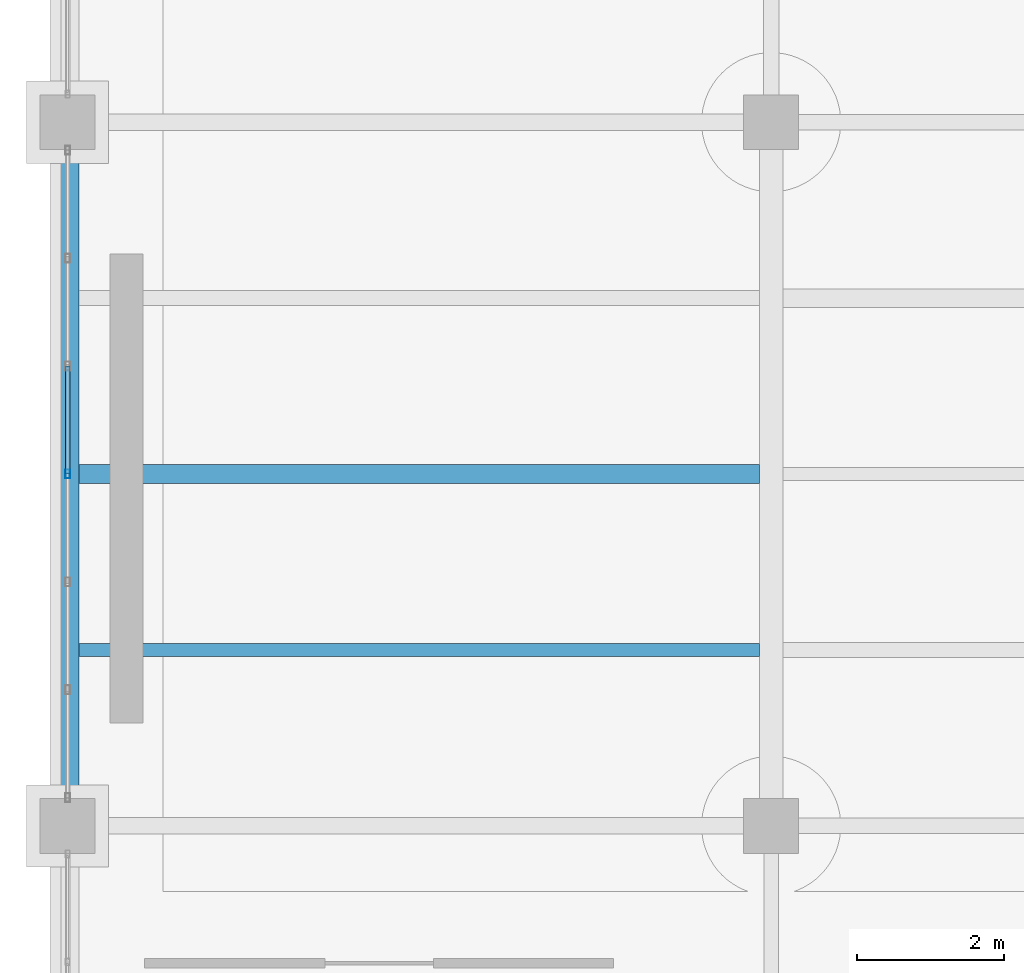
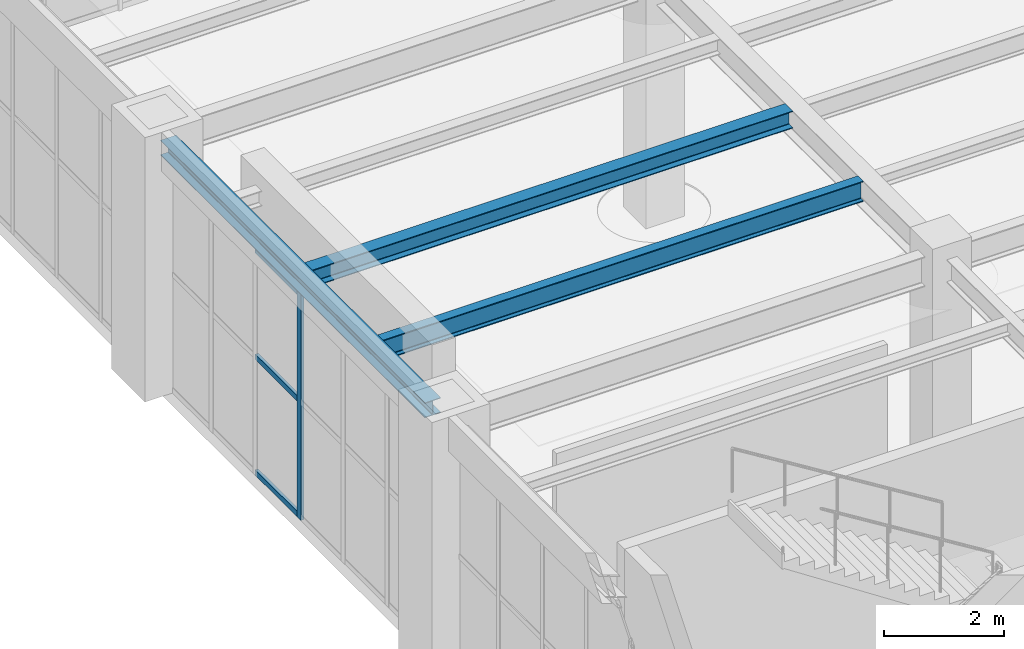
# One storey, part 27 of 164: 4 members, 3 beams, 1 element without a shape of its own.
"""IFC4 building model written with IfcOpenShell, lengths in metres."""

from ifc_helpers import new_model, si_unit, direction, frame, origin, origin_2d, place, context, subcontext, project, spatial, hollow_rectangle, i_section, extrude, material, material_profile, profile_set, type_object, element, aggregate, save


model = new_model("IFC4")

# Units and contexts
model_context = context("Model", 3, precision=1e-05, world=origin(), true_north=direction((0.0, 1.0)))
body_context = subcontext(model_context, "Body", "Model", "MODEL_VIEW")
ifc_project = project(units=[si_unit("LENGTHUNIT", "METRE"), si_unit("AREAUNIT", "SQUARE_METRE"), si_unit("VOLUMEUNIT", "CUBIC_METRE"), si_unit("PLANEANGLEUNIT", "RADIAN"), si_unit("MASSUNIT", "GRAM", prefix="KILO")], contexts=[model_context])

# Site, building, storey
site_placement = place(None, origin())
site = spatial("IfcSite", under=ifc_project, at=site_placement, CompositionType="ELEMENT")
building_placement = place(site_placement, origin())
building = spatial("IfcBuilding", under=site, at=building_placement, Name="Mavantir Sound Aquarium", CompositionType="ELEMENT")
storey_placement = place(building_placement, origin())
storey = spatial("IfcBuildingStorey", under=building, at=storey_placement, Name="L00", CompositionType="ELEMENT", Elevation=0.0)

# Beams
ifc_material_1 = material(Name="Structural Steel ASTM A992 Gr50", Category="steel")
ifc_material_profile_1 = material_profile(ifc_material_1, i_section(OverallWidth=0.304931640625, OverallDepth=0.30810546875, WebThickness=0.010009765625, FlangeThickness=0.015380859375, FilletRadius=0.014892578125, at=origin_2d()), Name="W310X97")
ifc_profile_set_1 = profile_set([ifc_material_profile_1], Name="Structural Steel ASTM A992 Gr50")
beam_type_1 = type_object("IfcBeamType", Name="BM-W310X97-E", PredefinedType="SPANDREL", material=ifc_profile_set_1)
beam_1_placement = place(storey_placement, frame((0.0, 9.97509765625, 4.94189453125), z_axis=(0.0, 1.0, 0.0), x_axis=(-1.0, 0.0, 0.0)))
element("IfcBeam", 1, at=beam_1_placement, inside=storey, type_object=beam_type_1, Name="L00 primary girder SS-31A 907", PredefinedType="SPANDREL", context=body_context, shape_type="SweptSolid", body=[
    extrude(i_section(OverallWidth=0.304931640625, OverallDepth=0.30810546875, WebThickness=0.010009765625, FlangeThickness=0.015380859375, FilletRadius=0.014892578125, at=origin_2d()), origin(), (0.0, 0.0, 1.0), 8.849853515625),
])
ifc_material_profile_2 = material_profile(ifc_material_1, i_section(OverallWidth=0.25390625, OverallDepth=0.35302734375, WebThickness=0.009521484375, FlangeThickness=0.016357421875, FilletRadius=0.014892578125, at=origin_2d()), Name="W360X91")
ifc_profile_set_2 = profile_set([ifc_material_profile_2], Name="Structural Steel ASTM A992 Gr50")
beam_type_2 = type_object("IfcBeamType", Name="BM-W360X91-I", PredefinedType="JOIST", material=ifc_profile_set_2)
beam_2_placement = place(storey_placement, frame((0.152587890625, 14.39990234375, 4.91943359375), z_axis=(1.0, 0.0, 0.0), x_axis=(0.0, 1.0, 0.0)))
element("IfcBeam", 2, at=beam_2_placement, inside=storey, type_object=beam_type_2, Name="L00 secondary floor joist SJ-36 490", PredefinedType="JOIST", context=body_context, shape_type="SweptSolid", body=[
    extrude(i_section(OverallWidth=0.25390625, OverallDepth=0.35302734375, WebThickness=0.009521484375, FlangeThickness=0.016357421875, FilletRadius=0.014892578125, at=origin_2d()), origin(), (0.0, 0.0, 1.0), 9.285400390625),
])
ifc_material_profile_3 = material_profile(ifc_material_1, i_section(OverallWidth=0.180908203125, OverallDepth=0.4169921875, WebThickness=0.010986328125, FlangeThickness=0.018310546875, FilletRadius=0.014892578125, at=origin_2d()), Name="W410X85")
ifc_profile_set_3 = profile_set([ifc_material_profile_3], Name="Structural Steel ASTM A992 Gr50")
beam_type_3 = type_object("IfcBeamType", Name="BM-W410X85-I", PredefinedType="JOIST", material=ifc_profile_set_3)
beam_3_placement = place(storey_placement, frame((0.152587890625, 12.0, 4.887451171875), z_axis=(1.0, 0.0, 0.0), x_axis=(0.0, 1.0, 0.0)))
element("IfcBeam", 3, at=beam_3_placement, inside=storey, type_object=beam_type_3, Name="L00 secondary floor joist SJ-41 489", PredefinedType="JOIST", context=body_context, shape_type="SweptSolid", body=[
    extrude(i_section(OverallWidth=0.180908203125, OverallDepth=0.4169921875, WebThickness=0.010986328125, FlangeThickness=0.018310546875, FilletRadius=0.014892578125, at=origin_2d()), origin(), (0.0, 0.0, 1.0), 9.285400390625),
])

# Curtain wall, members
ifc_material_2 = material(Name="Anodised Marine Aluminium and Low-E Glass", Category="aluminium")
curtain_wall_type = type_object("IfcCurtainWallType", Name="CW-T12", PredefinedType="USERDEFINED", material=ifc_material_2)
curtain_wall_placement = place(storey_placement, origin())
curtain_wall = element("IfcCurtainWall", 4, at=curtain_wall_placement, inside=storey, type_object=curtain_wall_type, Name="L00 unitised curtain wall CW-12 12", ObjectType="UNITISED GLAZING", PredefinedType="USERDEFINED")
ifc_material_3 = material(Name="Anodised Marine Aluminium 6063-T6", Category="aluminium")
ifc_material_profile_4 = material_profile(ifc_material_3, hollow_rectangle(XDim=0.06494140625, YDim=0.1201171875, WallThickness=0.00390625, at=origin_2d()), Name="ALU-MULLION-120X65")
ifc_profile_set_4 = profile_set([ifc_material_profile_4], Name="Anodised Marine Aluminium 6063-T6")
member_type_1 = type_object("IfcMemberType", Name="CW-MUL-120", PredefinedType="MULLION", material=ifc_profile_set_4)
member_1_placement = place(storey_placement, frame((0.0, 14.39990234375, 0.0), z_axis=(0.0, 0.0, 1.0), x_axis=(1.0, 0.0, 0.0)))
member_1 = element("IfcMember", 5, at=member_1_placement, type_object=member_type_1, Name="CW-L00-012 vertical mullion 4", PredefinedType="MULLION", context=body_context, shape_type="SweptSolid", body=[
    extrude(hollow_rectangle(XDim=0.06494140625, YDim=0.1201171875, WallThickness=0.00390625, at=origin_2d()), origin(), (0.0, 0.0, 1.0), 4.64892578125),
])
ifc_material_profile_5 = material_profile(ifc_material_3, hollow_rectangle(XDim=0.06005859375, YDim=0.110107421875, WallThickness=0.00390625, at=origin_2d()), Name="ALU-TRANSOM-110X60")
ifc_profile_set_5 = profile_set([ifc_material_profile_5], Name="Anodised Marine Aluminium 6063-T6")
member_type_2 = type_object("IfcMemberType", Name="CW-TRN-110", PredefinedType="USERDEFINED", material=ifc_profile_set_5)
member_2_placement = place(storey_placement, frame((0.0, 15.872314453125, 0.054931640625), z_axis=(0.0, -1.0, 0.0), x_axis=(1.0, 0.0, 0.0)))
member_2 = element("IfcMember", 6, at=member_2_placement, type_object=member_type_2, Name="CW-L00-012 transom 3.1", ObjectType="TRANSOM", PredefinedType="USERDEFINED", context=body_context, shape_type="SweptSolid", body=[
    extrude(hollow_rectangle(XDim=0.06005859375, YDim=0.110107421875, WallThickness=0.00390625, at=origin_2d()), origin(), (0.0, 0.0, 1.0), 1.472412109375),
])
member_3_placement = place(storey_placement, frame((0.0, 15.872314453125, 2.41748046875), z_axis=(0.0, -1.0, 0.0), x_axis=(1.0, 0.0, 0.0)))
member_3 = element("IfcMember", 7, at=member_3_placement, type_object=member_type_2, Name="CW-L00-012 transom 3.2", ObjectType="TRANSOM", PredefinedType="USERDEFINED", context=body_context, shape_type="SweptSolid", body=[
    extrude(hollow_rectangle(XDim=0.06005859375, YDim=0.110107421875, WallThickness=0.00390625, at=origin_2d()), origin(), (0.0, 0.0, 1.0), 1.472412109375),
])
member_4_placement = place(storey_placement, frame((0.0, 15.872314453125, 4.593994140625), z_axis=(0.0, -1.0, 0.0), x_axis=(1.0, 0.0, 0.0)))
member_4 = element("IfcMember", 8, at=member_4_placement, type_object=member_type_2, Name="CW-L00-012 transom 3.3", ObjectType="TRANSOM", PredefinedType="USERDEFINED", context=body_context, shape_type="SweptSolid", body=[
    extrude(hollow_rectangle(XDim=0.06005859375, YDim=0.110107421875, WallThickness=0.00390625, at=origin_2d()), origin(), (0.0, 0.0, 1.0), 1.472412109375),
])
aggregate(curtain_wall, [member_1, member_2, member_3, member_4])

save(model, "model.ifc")
